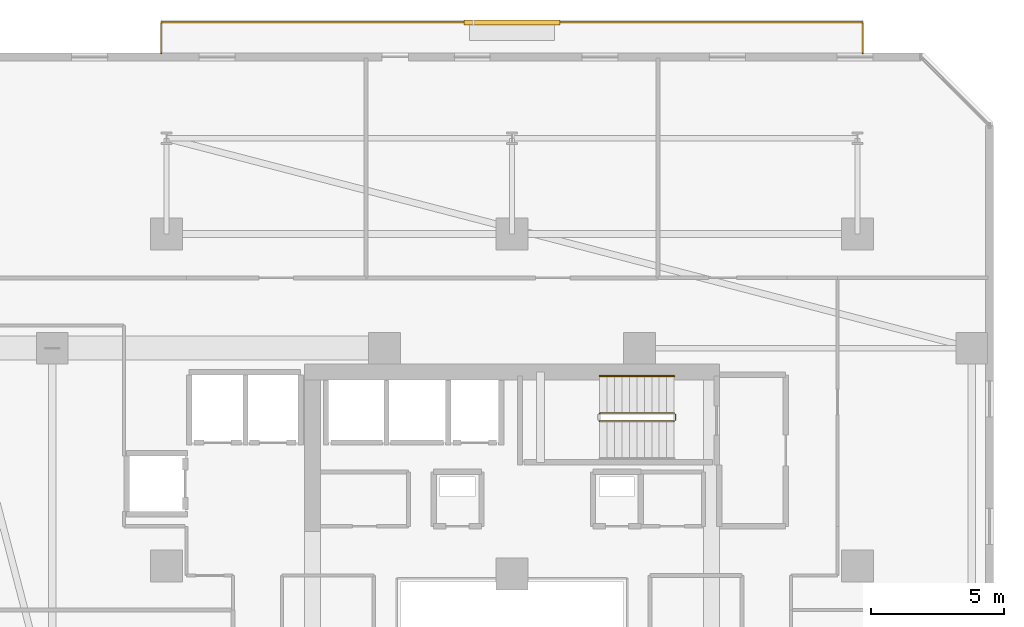
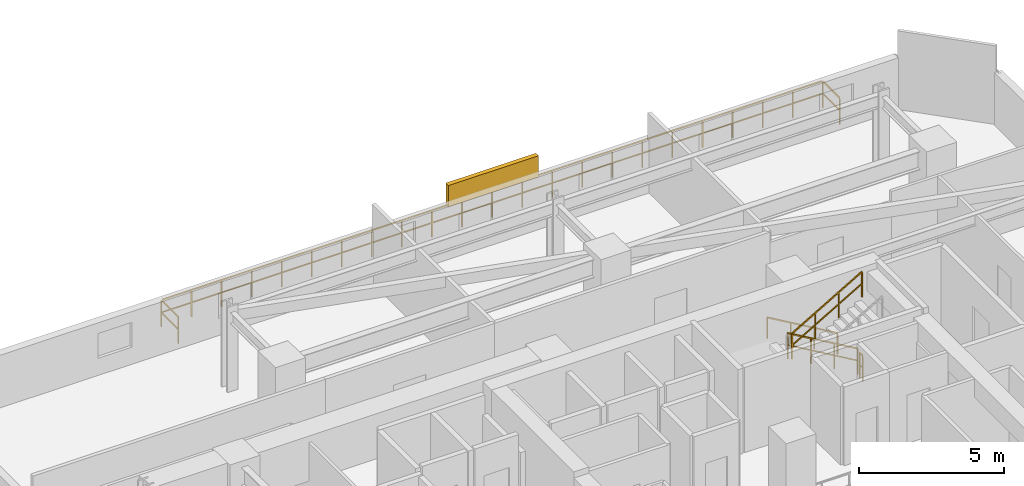
# One storey, part 34 of 36: 5 railings, 1 shading device.
"""IFC4 building model written with IfcOpenShell, lengths in metres."""

from ifc_helpers import new_model, si_unit, direction, frame, origin, origin_2d, place, context, subcontext, project, spatial, rectangle, extrude, material, type_object, element, save


model = new_model("IFC4")

# Units and contexts
model_context = context("Model", 3, precision=1e-05, world=origin(), true_north=direction((0.0, 1.0)))
body_context = subcontext(model_context, "Body", "Model", "MODEL_VIEW")
ifc_project = project(units=[si_unit("LENGTHUNIT", "METRE"), si_unit("AREAUNIT", "SQUARE_METRE"), si_unit("VOLUMEUNIT", "CUBIC_METRE"), si_unit("PLANEANGLEUNIT", "RADIAN"), si_unit("MASSUNIT", "GRAM", prefix="KILO")], contexts=[model_context])

# Site, building, storey
site_placement = place(None, origin())
site = spatial("IfcSite", under=ifc_project, at=site_placement, CompositionType="ELEMENT")
building_placement = place(site_placement, origin())
building = spatial("IfcBuilding", under=site, at=building_placement, Name="Thornwick Lancets Civic Towers", CompositionType="ELEMENT")
storey_placement = place(building_placement, frame((0.0, 0.0, 116.10009765625)))
storey = spatial("IfcBuildingStorey", under=building, at=storey_placement, Name="L30", CompositionType="ELEMENT", Elevation=116.10009765625)

# Railings
ifc_material_1 = material(Name="Brushed stainless steel S355", Category="steel")
railing_type_1 = type_object("IfcRailingType", Name="RAIL_HANDRAIL", PredefinedType="HANDRAIL", material=ifc_material_1)
railing_1_placement = place(storey_placement, frame((31.60009765625, 38.949951171875, 0.16357421875)))
element("IfcRailing", 1, at=railing_1_placement, inside=storey, type_object=railing_type_1, Name="L30 ST-A2 stair handrail 1", PredefinedType="HANDRAIL", context=body_context, shape_type="SweptSolid", body=[
    extrude(rectangle(XDim=0.048095703125, YDim=0.048095703125, at=origin_2d()), frame((0.0, 0.0, 0.8857421875), z_axis=(-0.863393664356, 0.0, 0.504530851732), x_axis=(0.0, -1.0, 0.0)), (0.0, 0.0, 1.0), 3.2431640625),
    extrude(rectangle(XDim=0.0419921875, YDim=0.0419921875, at=origin_2d()), origin(), (0.0, 0.0, 1.0), 0.855712890625),
    extrude(rectangle(XDim=0.0419921875, YDim=0.0419921875, at=origin_2d()), frame((-0.933349609375, 0.0, 0.54541015625)), (0.0, 0.0, 1.0), 0.855712890625),
    extrude(rectangle(XDim=0.0419921875, YDim=0.0419921875, at=origin_2d()), frame((-1.86669921875, 0.0, 1.0908203125)), (0.0, 0.0, 1.0), 0.855712890625),
    extrude(rectangle(XDim=0.0419921875, YDim=0.0419921875, at=origin_2d()), frame((-2.800048828125, 0.0, 1.63623046875)), (0.0, 0.0, 1.0), 0.855712890625),
])
ifc_material_2 = material(Name="Steel S355JR", Category="steel")
railing_type_2 = type_object("IfcRailingType", Name="RAIL_STAIR_GUARD", PredefinedType="GUARDRAIL", material=ifc_material_2)
railing_2_placement = place(storey_placement, frame((31.60009765625, 37.550048828125, 0.16357421875)))
element("IfcRailing", 2, at=railing_2_placement, inside=storey, type_object=railing_type_2, Name="L30 ST-A2 stair guard 1", PredefinedType="GUARDRAIL", context=body_context, shape_type="SweptSolid", body=[
    extrude(rectangle(XDim=0.048095703125, YDim=0.048095703125, at=origin_2d()), frame((0.0, 0.0, 1.076171875), z_axis=(-0.863393664356, 0.0, 0.504530851732), x_axis=(0.0, -1.0, 0.0)), (0.0, 0.0, 1.0), 3.2431640625),
    extrude(rectangle(XDim=0.0419921875, YDim=0.0419921875, at=origin_2d()), frame((-0.032470703125, 0.0, 0.591064453125), z_axis=(-0.863393664356, 0.0, 0.504530851732), x_axis=(0.0, -1.0, 0.0)), (0.0, 0.0, 1.0), 1.006103515625),
    extrude(rectangle(XDim=0.0419921875, YDim=0.0419921875, at=origin_2d()), frame((-0.9658203125, 0.0, 1.136474609375), z_axis=(-0.863393664356, 0.0, 0.504530851732), x_axis=(0.0, -1.0, 0.0)), (0.0, 0.0, 1.0), 1.006103515625),
    extrude(rectangle(XDim=0.0419921875, YDim=0.0419921875, at=origin_2d()), frame((-1.899169921875, 0.0, 1.681884765625), z_axis=(-0.863393664356, 0.0, 0.504530851732), x_axis=(0.0, -1.0, 0.0)), (0.0, 0.0, 1.0), 1.006103515625),
    extrude(rectangle(XDim=0.0419921875, YDim=0.0419921875, at=origin_2d()), origin(), (0.0, 0.0, 1.0), 1.0458984375),
    extrude(rectangle(XDim=0.0419921875, YDim=0.0419921875, at=origin_2d()), frame((-0.933349609375, 0.0, 0.54541015625)), (0.0, 0.0, 1.0), 1.0458984375),
    extrude(rectangle(XDim=0.0419921875, YDim=0.0419921875, at=origin_2d()), frame((-1.86669921875, 0.0, 1.0908203125)), (0.0, 0.0, 1.0), 1.0458984375),
    extrude(rectangle(XDim=0.0419921875, YDim=0.0419921875, at=origin_2d()), frame((-2.800048828125, 0.0, 1.63623046875)), (0.0, 0.0, 1.0), 1.0458984375),
])
railing_3_placement = place(storey_placement, frame((28.800048828125, 37.25, 1.963623046875)))
element("IfcRailing", 3, at=railing_3_placement, inside=storey, type_object=railing_type_2, Name="L30 ST-A2 stair guard 3", PredefinedType="GUARDRAIL", context=body_context, shape_type="SweptSolid", body=[
    extrude(rectangle(XDim=0.048095703125, YDim=0.048095703125, at=origin_2d()), frame((0.0, 0.0, 1.076171875), z_axis=(0.863393664356, 0.0, 0.504530851732), x_axis=(0.0, 1.0, 0.0)), (0.0, 0.0, 1.0), 3.2431640625),
    extrude(rectangle(XDim=0.0419921875, YDim=0.0419921875, at=origin_2d()), frame((0.032470703125, 0.0, 0.591064453125), z_axis=(0.863393664356, 0.0, 0.504530851732), x_axis=(0.0, 1.0, 0.0)), (0.0, 0.0, 1.0), 1.006103515625),
    extrude(rectangle(XDim=0.0419921875, YDim=0.0419921875, at=origin_2d()), frame((0.9658203125, 0.0, 1.136474609375), z_axis=(0.863393664356, 0.0, 0.504530851732), x_axis=(0.0, 1.0, 0.0)), (0.0, 0.0, 1.0), 1.006103515625),
    extrude(rectangle(XDim=0.0419921875, YDim=0.0419921875, at=origin_2d()), frame((1.899169921875, 0.0, 1.681884765625), z_axis=(0.863393664356, 0.0, 0.504530851732), x_axis=(0.0, 1.0, 0.0)), (0.0, 0.0, 1.0), 1.006103515625),
    extrude(rectangle(XDim=0.0419921875, YDim=0.0419921875, at=origin_2d()), origin(), (0.0, 0.0, 1.0), 1.0458984375),
    extrude(rectangle(XDim=0.0419921875, YDim=0.0419921875, at=origin_2d()), frame((0.933349609375, 0.0, 0.54541015625)), (0.0, 0.0, 1.0), 1.0458984375),
    extrude(rectangle(XDim=0.0419921875, YDim=0.0419921875, at=origin_2d()), frame((1.86669921875, 0.0, 1.0908203125)), (0.0, 0.0, 1.0), 1.0458984375),
    extrude(rectangle(XDim=0.0419921875, YDim=0.0419921875, at=origin_2d()), frame((2.800048828125, 0.0, 1.63623046875)), (0.0, 0.0, 1.0), 1.0458984375),
])
railing_4_placement = place(storey_placement, frame((31.64990234375, 37.5, 0.0)))
element("IfcRailing", 4, at=railing_4_placement, inside=storey, type_object=railing_type_2, Name="L30 ST-A2 stair guard 4", PredefinedType="GUARDRAIL", context=body_context, shape_type="SweptSolid", body=[
    extrude(rectangle(XDim=0.048095703125, YDim=0.048095703125, at=origin_2d()), frame((0.0, 0.0, 1.076171875), z_axis=(0.0, -1.0, 0.0), x_axis=(1.0, 0.0, 0.0)), (0.0, 0.0, 1.0), 0.199951171875),
    extrude(rectangle(XDim=0.0419921875, YDim=0.0419921875, at=origin_2d()), frame((0.0, -0.03759765625, 0.572021484375), z_axis=(0.0, -1.0, 0.0), x_axis=(1.0, 0.0, 0.0)), (0.0, 0.0, 1.0), 0.125),
    extrude(rectangle(XDim=0.0419921875, YDim=0.0419921875, at=origin_2d()), origin(), (0.0, 0.0, 1.0), 1.0458984375),
    extrude(rectangle(XDim=0.0419921875, YDim=0.0419921875, at=origin_2d()), frame((0.0, -0.199951171875, 0.0)), (0.0, 0.0, 1.0), 1.0458984375),
])
ifc_material_3 = material(Name="Terracotta-capped laminated glass balustrade S355", Category="masonry")
railing_type_3 = type_object("IfcRailingType", Name="RAIL_TERR_GUARD", PredefinedType="GUARDRAIL", material=ifc_material_3)
railing_5_placement = place(storey_placement, frame((12.300048828125, 51.10009765625, 0.0)))
element("IfcRailing", 5, at=railing_5_placement, inside=storey, type_object=railing_type_3, Name="L30 Tower A Balcony Guard N", PredefinedType="GUARDRAIL", context=body_context, shape_type="SweptSolid", body=[
    extrude(rectangle(XDim=0.048095703125, YDim=0.048095703125, at=origin_2d()), frame((0.0, 0.0, 1.1259765625), z_axis=(0.0, 1.0, 0.0), x_axis=(-1.0, 0.0, 0.0)), (0.0, 0.0, 1.0), 1.138671875),
    extrude(rectangle(XDim=0.0419921875, YDim=0.0419921875, at=origin_2d()), frame((0.0, 0.03759765625, 0.597900390625), z_axis=(0.0, 1.0, 0.0), x_axis=(-1.0, 0.0, 0.0)), (0.0, 0.0, 1.0), 1.094970703125),
    extrude(rectangle(XDim=0.048095703125, YDim=0.048095703125, at=origin_2d()), frame((0.03125, 1.169921875, 1.1259765625), z_axis=(1.0, 0.0, 0.0), x_axis=(0.0, 1.0, 0.0)), (0.0, 0.0, 1.0), 26.33740234375),
    extrude(rectangle(XDim=0.0419921875, YDim=0.0419921875, at=origin_2d()), frame((0.03759765625, 1.169921875, 0.597900390625), z_axis=(1.0, 0.0, 0.0), x_axis=(0.0, 1.0, 0.0)), (0.0, 0.0, 1.0), 1.125),
    extrude(rectangle(XDim=0.0419921875, YDim=0.0419921875, at=origin_2d()), frame((1.237548828125, 1.169921875, 0.597900390625), z_axis=(1.0, 0.0, 0.0), x_axis=(0.0, 1.0, 0.0)), (0.0, 0.0, 1.0), 1.125),
    extrude(rectangle(XDim=0.0419921875, YDim=0.0419921875, at=origin_2d()), frame((2.4375, 1.169921875, 0.597900390625), z_axis=(1.0, 0.0, 0.0), x_axis=(0.0, 1.0, 0.0)), (0.0, 0.0, 1.0), 1.125),
    extrude(rectangle(XDim=0.0419921875, YDim=0.0419921875, at=origin_2d()), frame((3.637451171875, 1.169921875, 0.597900390625), z_axis=(1.0, 0.0, 0.0), x_axis=(0.0, 1.0, 0.0)), (0.0, 0.0, 1.0), 1.125),
    extrude(rectangle(XDim=0.0419921875, YDim=0.0419921875, at=origin_2d()), frame((4.83740234375, 1.169921875, 0.597900390625), z_axis=(1.0, 0.0, 0.0), x_axis=(0.0, 1.0, 0.0)), (0.0, 0.0, 1.0), 1.125),
    extrude(rectangle(XDim=0.0419921875, YDim=0.0419921875, at=origin_2d()), frame((6.037353515625, 1.169921875, 0.597900390625), z_axis=(1.0, 0.0, 0.0), x_axis=(0.0, 1.0, 0.0)), (0.0, 0.0, 1.0), 1.125),
    extrude(rectangle(XDim=0.0419921875, YDim=0.0419921875, at=origin_2d()), frame((7.237548828125, 1.169921875, 0.597900390625), z_axis=(1.0, 0.0, 0.0), x_axis=(0.0, 1.0, 0.0)), (0.0, 0.0, 1.0), 1.125),
    extrude(rectangle(XDim=0.0419921875, YDim=0.0419921875, at=origin_2d()), frame((8.4375, 1.169921875, 0.597900390625), z_axis=(1.0, 0.0, 0.0), x_axis=(0.0, 1.0, 0.0)), (0.0, 0.0, 1.0), 1.125),
    extrude(rectangle(XDim=0.0419921875, YDim=0.0419921875, at=origin_2d()), frame((9.637451171875, 1.169921875, 0.597900390625), z_axis=(1.0, 0.0, 0.0), x_axis=(0.0, 1.0, 0.0)), (0.0, 0.0, 1.0), 1.125),
    extrude(rectangle(XDim=0.0419921875, YDim=0.0419921875, at=origin_2d()), frame((10.83740234375, 1.169921875, 0.597900390625), z_axis=(1.0, 0.0, 0.0), x_axis=(0.0, 1.0, 0.0)), (0.0, 0.0, 1.0), 1.125),
    extrude(rectangle(XDim=0.0419921875, YDim=0.0419921875, at=origin_2d()), frame((12.037353515625, 1.169921875, 0.597900390625), z_axis=(1.0, 0.0, 0.0), x_axis=(0.0, 1.0, 0.0)), (0.0, 0.0, 1.0), 1.125),
    extrude(rectangle(XDim=0.0419921875, YDim=0.0419921875, at=origin_2d()), frame((13.237548828125, 1.169921875, 0.597900390625), z_axis=(1.0, 0.0, 0.0), x_axis=(0.0, 1.0, 0.0)), (0.0, 0.0, 1.0), 1.125),
    extrude(rectangle(XDim=0.0419921875, YDim=0.0419921875, at=origin_2d()), frame((14.4375, 1.169921875, 0.597900390625), z_axis=(1.0, 0.0, 0.0), x_axis=(0.0, 1.0, 0.0)), (0.0, 0.0, 1.0), 1.125),
    extrude(rectangle(XDim=0.0419921875, YDim=0.0419921875, at=origin_2d()), frame((15.637451171875, 1.169921875, 0.597900390625), z_axis=(1.0, 0.0, 0.0), x_axis=(0.0, 1.0, 0.0)), (0.0, 0.0, 1.0), 1.125),
    extrude(rectangle(XDim=0.0419921875, YDim=0.0419921875, at=origin_2d()), frame((16.83740234375, 1.169921875, 0.597900390625), z_axis=(1.0, 0.0, 0.0), x_axis=(0.0, 1.0, 0.0)), (0.0, 0.0, 1.0), 1.125),
    extrude(rectangle(XDim=0.0419921875, YDim=0.0419921875, at=origin_2d()), frame((18.037353515625, 1.169921875, 0.597900390625), z_axis=(1.0, 0.0, 0.0), x_axis=(0.0, 1.0, 0.0)), (0.0, 0.0, 1.0), 1.125),
    extrude(rectangle(XDim=0.0419921875, YDim=0.0419921875, at=origin_2d()), frame((19.2373046875, 1.169921875, 0.597900390625), z_axis=(1.0, 0.0, 0.0), x_axis=(0.0, 1.0, 0.0)), (0.0, 0.0, 1.0), 1.125),
    extrude(rectangle(XDim=0.0419921875, YDim=0.0419921875, at=origin_2d()), frame((20.4375, 1.169921875, 0.597900390625), z_axis=(1.0, 0.0, 0.0), x_axis=(0.0, 1.0, 0.0)), (0.0, 0.0, 1.0), 1.125),
    extrude(rectangle(XDim=0.0419921875, YDim=0.0419921875, at=origin_2d()), frame((21.637451171875, 1.169921875, 0.597900390625), z_axis=(1.0, 0.0, 0.0), x_axis=(0.0, 1.0, 0.0)), (0.0, 0.0, 1.0), 1.125),
    extrude(rectangle(XDim=0.0419921875, YDim=0.0419921875, at=origin_2d()), frame((22.83740234375, 1.169921875, 0.597900390625), z_axis=(1.0, 0.0, 0.0), x_axis=(0.0, 1.0, 0.0)), (0.0, 0.0, 1.0), 1.125),
    extrude(rectangle(XDim=0.0419921875, YDim=0.0419921875, at=origin_2d()), frame((24.037353515625, 1.169921875, 0.597900390625), z_axis=(1.0, 0.0, 0.0), x_axis=(0.0, 1.0, 0.0)), (0.0, 0.0, 1.0), 1.125),
    extrude(rectangle(XDim=0.0419921875, YDim=0.0419921875, at=origin_2d()), frame((25.2373046875, 1.169921875, 0.597900390625), z_axis=(1.0, 0.0, 0.0), x_axis=(0.0, 1.0, 0.0)), (0.0, 0.0, 1.0), 1.125),
    extrude(rectangle(XDim=0.048095703125, YDim=0.048095703125, at=origin_2d()), frame((26.39990234375, 1.138671875, 1.1259765625), z_axis=(0.0, -1.0, 0.0), x_axis=(1.0, 0.0, 0.0)), (0.0, 0.0, 1.0), 1.138671875),
    extrude(rectangle(XDim=0.0419921875, YDim=0.0419921875, at=origin_2d()), frame((26.39990234375, 1.13232421875, 0.597900390625), z_axis=(0.0, -1.0, 0.0), x_axis=(1.0, 0.0, 0.0)), (0.0, 0.0, 1.0), 1.094970703125),
    extrude(rectangle(XDim=0.0419921875, YDim=0.0419921875, at=origin_2d()), origin(), (0.0, 0.0, 1.0), 1.095703125),
    extrude(rectangle(XDim=0.0419921875, YDim=0.0419921875, at=origin_2d()), frame((0.0, 1.169921875, 0.0)), (0.0, 0.0, 1.0), 1.095703125),
    extrude(rectangle(XDim=0.0419921875, YDim=0.0419921875, at=origin_2d()), frame((1.199951171875, 1.169921875, 0.0)), (0.0, 0.0, 1.0), 1.095703125),
    extrude(rectangle(XDim=0.0419921875, YDim=0.0419921875, at=origin_2d()), frame((2.39990234375, 1.169921875, 0.0)), (0.0, 0.0, 1.0), 1.095703125),
    extrude(rectangle(XDim=0.0419921875, YDim=0.0419921875, at=origin_2d()), frame((3.60009765625, 1.169921875, 0.0)), (0.0, 0.0, 1.0), 1.095703125),
    extrude(rectangle(XDim=0.0419921875, YDim=0.0419921875, at=origin_2d()), frame((4.800048828125, 1.169921875, 0.0)), (0.0, 0.0, 1.0), 1.095703125),
    extrude(rectangle(XDim=0.0419921875, YDim=0.0419921875, at=origin_2d()), frame((6.0, 1.169921875, 0.0)), (0.0, 0.0, 1.0), 1.095703125),
    extrude(rectangle(XDim=0.0419921875, YDim=0.0419921875, at=origin_2d()), frame((7.199951171875, 1.169921875, 0.0)), (0.0, 0.0, 1.0), 1.095703125),
    extrude(rectangle(XDim=0.0419921875, YDim=0.0419921875, at=origin_2d()), frame((8.39990234375, 1.169921875, 0.0)), (0.0, 0.0, 1.0), 1.095703125),
    extrude(rectangle(XDim=0.0419921875, YDim=0.0419921875, at=origin_2d()), frame((9.599853515625, 1.169921875, 0.0)), (0.0, 0.0, 1.0), 1.095703125),
    extrude(rectangle(XDim=0.0419921875, YDim=0.0419921875, at=origin_2d()), frame((10.800048828125, 1.169921875, 0.0)), (0.0, 0.0, 1.0), 1.095703125),
    extrude(rectangle(XDim=0.0419921875, YDim=0.0419921875, at=origin_2d()), frame((12.0, 1.169921875, 0.0)), (0.0, 0.0, 1.0), 1.095703125),
    extrude(rectangle(XDim=0.0419921875, YDim=0.0419921875, at=origin_2d()), frame((13.199951171875, 1.169921875, 0.0)), (0.0, 0.0, 1.0), 1.095703125),
    extrude(rectangle(XDim=0.0419921875, YDim=0.0419921875, at=origin_2d()), frame((14.39990234375, 1.169921875, 0.0)), (0.0, 0.0, 1.0), 1.095703125),
    extrude(rectangle(XDim=0.0419921875, YDim=0.0419921875, at=origin_2d()), frame((15.599853515625, 1.169921875, 0.0)), (0.0, 0.0, 1.0), 1.095703125),
    extrude(rectangle(XDim=0.0419921875, YDim=0.0419921875, at=origin_2d()), frame((16.800048828125, 1.169921875, 0.0)), (0.0, 0.0, 1.0), 1.095703125),
    extrude(rectangle(XDim=0.0419921875, YDim=0.0419921875, at=origin_2d()), frame((18.0, 1.169921875, 0.0)), (0.0, 0.0, 1.0), 1.095703125),
    extrude(rectangle(XDim=0.0419921875, YDim=0.0419921875, at=origin_2d()), frame((19.199951171875, 1.169921875, 0.0)), (0.0, 0.0, 1.0), 1.095703125),
    extrude(rectangle(XDim=0.0419921875, YDim=0.0419921875, at=origin_2d()), frame((20.39990234375, 1.169921875, 0.0)), (0.0, 0.0, 1.0), 1.095703125),
    extrude(rectangle(XDim=0.0419921875, YDim=0.0419921875, at=origin_2d()), frame((21.599853515625, 1.169921875, 0.0)), (0.0, 0.0, 1.0), 1.095703125),
    extrude(rectangle(XDim=0.0419921875, YDim=0.0419921875, at=origin_2d()), frame((22.7998046875, 1.169921875, 0.0)), (0.0, 0.0, 1.0), 1.095703125),
    extrude(rectangle(XDim=0.0419921875, YDim=0.0419921875, at=origin_2d()), frame((24.0, 1.169921875, 0.0)), (0.0, 0.0, 1.0), 1.095703125),
    extrude(rectangle(XDim=0.0419921875, YDim=0.0419921875, at=origin_2d()), frame((25.199951171875, 1.169921875, 0.0)), (0.0, 0.0, 1.0), 1.095703125),
    extrude(rectangle(XDim=0.0419921875, YDim=0.0419921875, at=origin_2d()), frame((26.39990234375, 1.169921875, 0.0)), (0.0, 0.0, 1.0), 1.095703125),
    extrude(rectangle(XDim=0.0419921875, YDim=0.0419921875, at=origin_2d()), frame((26.39990234375, 0.0, 0.0)), (0.0, 0.0, 1.0), 1.095703125),
])

# Shading device
ifc_material_4 = material(Name="Extruded terracotta baguette solar screen", Category="masonry")
shading_device_type = type_object("IfcShadingDeviceType", Name="SHADE_BAGUETTE", PredefinedType="JALOUSIE", material=ifc_material_4)
shading_device_placement = place(storey_placement, frame((25.5, 52.260009765625, 1.119873046875), z_axis=(0.0, 0.0, 1.0), x_axis=(1.0, 0.0, 0.0)))
element("IfcShadingDevice", 6, at=shading_device_placement, inside=storey, type_object=shading_device_type, Name="L30 Tower A Terracotta Baguette Screen N", PredefinedType="JALOUSIE", context=body_context, shape_type="SweptSolid", body=[
    extrude(rectangle(XDim=3.60009765625, YDim=0.179931640625, at=origin_2d()), origin(), (0.0, 0.0, 1.0), 0.89990234375),
])

save(model, "model.ifc")
